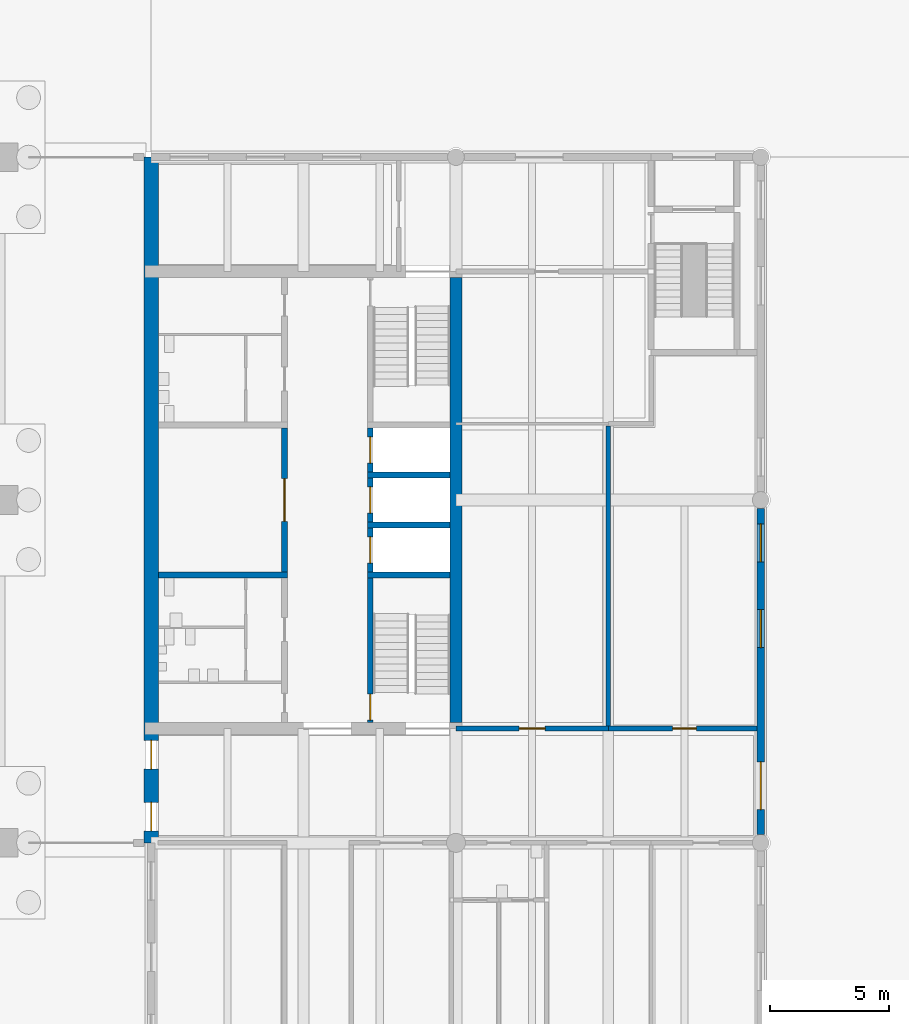
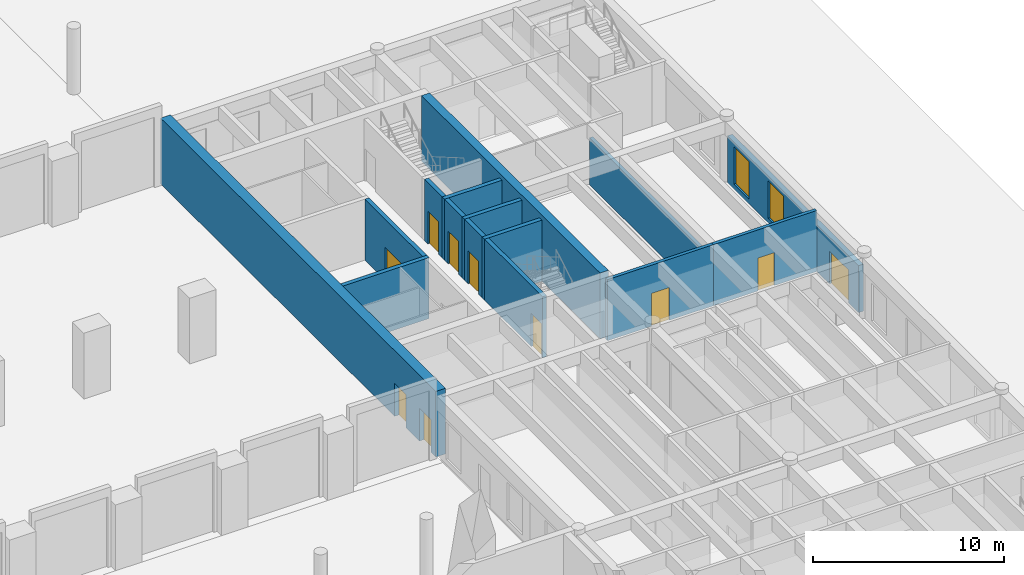
# One storey, part 18 of 28: 15 walls, 10 doors, 2 windows, 12 openings.
"""IFC4 building model written with IfcOpenShell, lengths in metres."""

from ifc_helpers import new_model, si_unit, direction, frame, frame_2d, origin, place, context, subcontext, project, spatial, rectangle, extrude, material, layer, layer_set, type_object, element, fill, save


model = new_model("IFC4")

# Units and contexts
model_context = context("Model", 3, precision=1e-05, world=origin(), true_north=direction((0.0, 1.0)))
body_context = subcontext(model_context, "Body", "Model", "MODEL_VIEW")
ifc_project = project(units=[si_unit("LENGTHUNIT", "METRE"), si_unit("AREAUNIT", "SQUARE_METRE"), si_unit("VOLUMEUNIT", "CUBIC_METRE"), si_unit("PLANEANGLEUNIT", "RADIAN"), si_unit("MASSUNIT", "GRAM", prefix="KILO")], contexts=[model_context])

# Site, building, storey
site_placement = place(None, origin())
site = spatial("IfcSite", under=ifc_project, at=site_placement, CompositionType="ELEMENT")
building_placement = place(site_placement, origin())
building = spatial("IfcBuilding", under=site, at=building_placement, Name="Fogon Plaza Fire Station and Headquarters Tower", CompositionType="ELEMENT")
storey_placement = place(building_placement, origin())
storey = spatial("IfcBuildingStorey", under=building, at=storey_placement, Name="L00", CompositionType="ELEMENT", Elevation=0.0)

# Wall, openings, door, windows
ifc_material_1 = material(Name="Concrete C40", Category="concrete")
ifc_layer_1 = layer(ifc_material_1, 0.300048828125)
ifc_layer_set_1 = layer_set([ifc_layer_1], Name="Concrete C40")
wall_type_1 = type_object("IfcWallType", Name="Board-marked RC Infill Wall 300", PredefinedType="SOLIDWALL", material=ifc_layer_set_1)
wall_1_placement = place(storey_placement, frame((89.60009765625, 29.14990234375, 0.0), z_axis=(0.0, 0.0, 1.0), x_axis=(0.0, 1.0, 0.0)))
wall_1 = element("IfcWall", 1, at=wall_1_placement, inside=storey, type_object=wall_type_1, Name="Exterior wall EE L00", PredefinedType="SOLIDWALL", context=body_context, shape_type="SweptSolid", body=[
    extrude(rectangle(XDim=13.7001953125, YDim=0.300048828125, at=frame_2d((6.85009765625, 0.0))), origin(), (0.0, 0.0, 1.0), 3.0),
])
opening_1_placement = place(wall_1_placement, frame((1.050048828125, 0.0, 0.0)))
opening_1 = element("IfcOpeningElement", 2, at=opening_1_placement, cuts=wall_1, Name="Opening L00-D13", PredefinedType="OPENING", context=body_context, shape_type="SweptSolid", body=[
    extrude(rectangle(XDim=2.0, YDim=2.10009765625, at=frame_2d((1.0, 1.050048828125))), frame((0.0, 0.159912109375, 0.0), z_axis=(0.0, -1.0, 0.0), x_axis=(1.0, 0.0, 0.0)), (0.0, 0.0, 1.0), 0.320068359375),
])
opening_2_placement = place(wall_1_placement, frame((7.85009765625, 0.0, 0.300048828125)))
opening_2 = element("IfcOpeningElement", 3, at=opening_2_placement, cuts=wall_1, Name="Opening W2", PredefinedType="OPENING", context=body_context, shape_type="SweptSolid", body=[
    extrude(rectangle(XDim=1.60009765625, YDim=2.39990234375, at=frame_2d((0.800048828125, 1.199951171875))), frame((0.0, 0.159912109375, 0.0), z_axis=(0.0, -1.0, 0.0), x_axis=(1.0, 0.0, 0.0)), (0.0, 0.0, 1.0), 0.320068359375),
])
opening_3_placement = place(wall_1_placement, frame((11.449951171875, 0.0, 0.300048828125)))
opening_3 = element("IfcOpeningElement", 4, at=opening_3_placement, cuts=wall_1, Name="Opening W2", PredefinedType="OPENING", context=body_context, shape_type="SweptSolid", body=[
    extrude(rectangle(XDim=1.60009765625, YDim=2.39990234375, at=frame_2d((0.800048828125, 1.199951171875))), frame((0.0, 0.159912109375, 0.0), z_axis=(0.0, -1.0, 0.0), x_axis=(1.0, 0.0, 0.0)), (0.0, 0.0, 1.0), 0.320068359375),
])
ifc_material_2 = material(Name="Steel Door Leaf", Category="steel")
door_type_1 = type_object("IfcDoorType", Name="Exit Double 2000x2100", OperationType="SINGLE_SWING_LEFT", PredefinedType="DOOR", material=ifc_material_2)
door_1_placement = place(opening_1_placement, frame((2.0, 0.0, 0.0), z_axis=(0.0, 0.0, 1.0), x_axis=(-1.0, 0.0, 0.0)))
door_1 = element("IfcDoor", 5, at=door_1_placement, inside=storey, type_object=door_type_1, Name="Exterior door L00-D13", OperationType="SINGLE_SWING_RIGHT", OverallHeight=2.10009765625, OverallWidth=2.0, PredefinedType="DOOR", context=body_context, shape_type="SweptSolid", body=[
    extrude(rectangle(XDim=2.0, YDim=2.10009765625, at=frame_2d((1.0, 1.050048828125))), frame((0.0, 0.02490234375, 0.0), z_axis=(0.0, -1.0, 0.0), x_axis=(1.0, 0.0, 0.0)), (0.0, 0.0, 1.0), 0.050048828125),
])
fill(opening_1, door_1)
ifc_material_3 = material(Name="Aluminium framed double glazing", Category="aluminium")
window_type = type_object("IfcWindowType", Name="Window W2 1600x2400", PartitioningType="SINGLE_PANEL", PredefinedType="WINDOW", material=ifc_material_3)
window_1_placement = place(opening_2_placement, origin())
window_1 = element("IfcWindow", 6, at=window_1_placement, inside=storey, type_object=window_type, Name="Window W2 E L00", OverallHeight=2.39990234375, OverallWidth=1.60009765625, PartitioningType="SINGLE_PANEL", PredefinedType="WINDOW", context=body_context, shape_type="SweptSolid", body=[
    extrude(rectangle(XDim=1.60009765625, YDim=2.39990234375, at=frame_2d((0.800048828125, 1.199951171875))), frame((0.0, 0.030029296875, 0.0), z_axis=(0.0, -1.0, 0.0), x_axis=(1.0, 0.0, 0.0)), (0.0, 0.0, 1.0), 0.06005859375),
])
fill(opening_2, window_1)
window_2_placement = place(opening_3_placement, origin())
window_2 = element("IfcWindow", 7, at=window_2_placement, inside=storey, type_object=window_type, Name="Window W2 E L00", OverallHeight=2.39990234375, OverallWidth=1.60009765625, PartitioningType="SINGLE_PANEL", PredefinedType="WINDOW", context=body_context, shape_type="SweptSolid", body=[
    extrude(rectangle(XDim=1.60009765625, YDim=2.39990234375, at=frame_2d((0.800048828125, 1.199951171875))), frame((0.0, 0.030029296875, 0.0), z_axis=(0.0, -1.0, 0.0), x_axis=(1.0, 0.0, 0.0)), (0.0, 0.0, 1.0), 0.06005859375),
])
fill(opening_3, window_2)

# Wall, opening, door
ifc_material_4 = material(Name="Concrete Block Fire Wall", Category="concrete")
ifc_layer_2 = layer(ifc_material_4, 0.199951171875)
ifc_layer_set_2 = layer_set([ifc_layer_2], Name="Concrete Block Fire Wall")
wall_type_2 = type_object("IfcWallType", Name="Compartment Wall EI 120", PredefinedType="PARTITIONING", material=ifc_layer_set_2)
wall_2_placement = place(storey_placement, frame((89.449951171875, 33.60009765625, 0.0), z_axis=(0.0, 0.0, 1.0), x_axis=(-1.0, 0.0, 0.0)))
wall_2 = element("IfcWall", 8, at=wall_2_placement, inside=storey, type_object=wall_type_2, Name="wall-L00-E-022", PredefinedType="PARTITIONING", context=body_context, shape_type="SweptSolid", body=[
    extrude(rectangle(XDim=6.25, YDim=0.199951171875, at=frame_2d((3.125, 0.0))), origin(), (0.0, 0.0, 1.0), 3.89990234375),
])
opening_4_placement = place(wall_2_placement, frame((2.550048828125, 0.0, 0.0)))
opening_4 = element("IfcOpeningElement", 9, at=opening_4_placement, cuts=wall_2, Name="Opening L00-D95", PredefinedType="OPENING", context=body_context, shape_type="SweptSolid", body=[
    extrude(rectangle(XDim=1.0, YDim=2.10009765625, at=frame_2d((0.5, 1.050048828125))), frame((0.0, 0.10986328125, 0.0), z_axis=(0.0, -1.0, 0.0), x_axis=(1.0, 0.0, 0.0)), (0.0, 0.0, 1.0), 0.219970703125),
])
ifc_material_5 = material(Name="Steel Fire Door Leaf", Category="steel")
door_type_2 = type_object("IfcDoorType", Name="Fire Door EI 90 1000x2100", OperationType="SINGLE_SWING_LEFT", PredefinedType="DOOR", material=ifc_material_5)
door_2_placement = place(opening_4_placement, frame((1.0, 0.0, 0.0), z_axis=(0.0, 0.0, 1.0), x_axis=(-1.0, 0.0, 0.0)))
door_2 = element("IfcDoor", 10, at=door_2_placement, inside=storey, type_object=door_type_2, Name="door-L00-E-16", OperationType="SINGLE_SWING_RIGHT", OverallHeight=2.10009765625, OverallWidth=1.0, PredefinedType="DOOR", context=body_context, shape_type="SweptSolid", body=[
    extrude(rectangle(XDim=1.0, YDim=2.10009765625, at=frame_2d((0.5, 1.050048828125))), frame((0.0, 0.02490234375, 0.0), z_axis=(0.0, -1.0, 0.0), x_axis=(1.0, 0.0, 0.0)), (0.0, 0.0, 1.0), 0.050048828125),
])
fill(opening_4, door_2)

# Walls
ifc_material_6 = material(Name="Concrete Block Fire Wall", Category="concrete")
ifc_layer_3 = layer(ifc_material_6, 0.199951171875)
ifc_layer_set_3 = layer_set([ifc_layer_3], Name="Concrete Block Fire Wall")
wall_type_3 = type_object("IfcWallType", Name="Compartment Wall EI 120 Beam Head 900", PredefinedType="PARTITIONING", material=ifc_layer_set_3)
wall_3_placement = place(storey_placement, frame((83.199951171875, 33.699951171875, 0.0), z_axis=(0.0, 0.0, 1.0), x_axis=(0.0, 1.0, 0.0)))
element("IfcWall", 11, at=wall_3_placement, inside=storey, type_object=wall_type_3, Name="wall-L00-E-041", PredefinedType="PARTITIONING", context=body_context, shape_type="SweptSolid", body=[
    extrude(rectangle(XDim=12.60009765625, YDim=0.199951171875, at=frame_2d((6.300048828125, 0.0))), origin(), (0.0, 0.0, 1.0), 3.0),
])
ifc_material_7 = material(Name="Concrete C40", Category="concrete")
ifc_layer_4 = layer(ifc_material_7, 0.25)
ifc_layer_set_4 = layer_set([ifc_layer_4], Name="Concrete C40")
wall_type_4 = type_object("IfcWallType", Name="Core Wall RC 250", PredefinedType="SOLIDWALL", material=ifc_layer_set_4)
for number, where, z_axis, x_axis, name in (
    (12, (76.550048828125, 40.050048828125, 0.0), (0.0, 0.0, 1.0), (-1.0, 0.0, 0.0), "Core B shaft wall"),
    (13, (76.550048828125, 42.14990234375, 0.0), (0.0, 0.0, 1.0), (-1.0, 0.0, 0.0), "Core B shaft wall"),
    (14, (76.550048828125, 44.25, 0.0), (0.0, 0.0, 1.0), (-1.0, 0.0, 0.0), "Core B shaft wall"),
):
    element("IfcWall", number, at=place(storey_placement, frame(where, z_axis=z_axis, x_axis=x_axis)), inside=storey, type_object=wall_type_4, Name=name, PredefinedType="SOLIDWALL", context=body_context, shape_type="SweptSolid", body=[
        extrude(rectangle(XDim=3.47509765625, YDim=0.25, at=frame_2d((1.737548828125, 0.0))), origin(), (0.0, 0.0, 1.0), 3.89990234375),
    ])

# Wall, opening, door
wall_4_placement = place(storey_placement, frame((73.199951171875, 33.85009765625, 0.0), z_axis=(0.0, 0.0, 1.0), x_axis=(0.0, 1.0, 0.0)))
wall_4 = element("IfcWall", 15, at=wall_4_placement, inside=storey, type_object=wall_type_4, Name="Core B shaft wall", PredefinedType="SOLIDWALL", context=body_context, shape_type="SweptSolid", body=[
    extrude(rectangle(XDim=6.074951171875, YDim=0.25, at=frame_2d((3.03759765625, 0.0))), origin(), (0.0, 0.0, 1.0), 3.89990234375),
])
opening_5_placement = place(wall_4_placement, frame((0.10009765625, 0.0, 0.0)))
opening_5 = element("IfcOpeningElement", 16, at=opening_5_placement, cuts=wall_4, Name="Opening L00-D45", PredefinedType="OPENING", context=body_context, shape_type="SweptSolid", body=[
    extrude(rectangle(XDim=1.10009765625, YDim=2.10009765625, at=frame_2d((0.550048828125, 1.050048828125))), frame((0.0, 0.135009765625, 0.0), z_axis=(0.0, -1.0, 0.0), x_axis=(1.0, 0.0, 0.0)), (0.0, 0.0, 1.0), 0.27001953125),
])
ifc_material_8 = material(Name="Steel Fire Door Leaf", Category="steel")
door_type_3 = type_object("IfcDoorType", Name="Stair Door Single 1100x2100", OperationType="SINGLE_SWING_LEFT", PredefinedType="DOOR", material=ifc_material_8)
door_3_placement = place(opening_5_placement, origin())
door_3 = element("IfcDoor", 17, at=door_3_placement, inside=storey, type_object=door_type_3, Name="Stair door ST3", OperationType="SINGLE_SWING_LEFT", OverallHeight=2.10009765625, OverallWidth=1.10009765625, PredefinedType="DOOR", context=body_context, shape_type="SweptSolid", body=[
    extrude(rectangle(XDim=1.10009765625, YDim=2.10009765625, at=frame_2d((0.550048828125, 1.050048828125))), frame((0.0, 0.02490234375, 0.0), z_axis=(0.0, -1.0, 0.0), x_axis=(1.0, 0.0, 0.0)), (0.0, 0.0, 1.0), 0.050048828125),
])
fill(opening_5, door_3)

wall_5_placement = place(storey_placement, frame((73.199951171875, 40.175048828125, 0.0), z_axis=(0.0, 0.0, 1.0), x_axis=(0.0, 1.0, 0.0)))
wall_5 = element("IfcWall", 18, at=wall_5_placement, inside=storey, type_object=wall_type_4, Name="Core B shaft wall", PredefinedType="SOLIDWALL", context=body_context, shape_type="SweptSolid", body=[
    extrude(rectangle(XDim=1.849853515625, YDim=0.25, at=frame_2d((0.9248046875, 0.0))), origin(), (0.0, 0.0, 1.0), 3.89990234375),
])
opening_6_placement = place(wall_5_placement, frame((0.375, 0.0, 0.0)))
opening_6 = element("IfcOpeningElement", 19, at=opening_6_placement, cuts=wall_5, Name="Opening L00-D47", PredefinedType="OPENING", context=body_context, shape_type="SweptSolid", body=[
    extrude(rectangle(XDim=1.10009765625, YDim=2.10009765625, at=frame_2d((0.550048828125, 1.050048828125))), frame((0.0, 0.135009765625, 0.0), z_axis=(0.0, -1.0, 0.0), x_axis=(1.0, 0.0, 0.0)), (0.0, 0.0, 1.0), 0.27001953125),
])
ifc_material_9 = material(Name="Stainless Steel", Category="steel")
door_type_4 = type_object("IfcDoorType", Name="Lift Landing Door 1100x2100", OperationType="SLIDING_TO_LEFT", PredefinedType="DOOR", material=ifc_material_9)
door_4_placement = place(opening_6_placement, origin())
door_4 = element("IfcDoor", 20, at=door_4_placement, inside=storey, type_object=door_type_4, Name="Lift LP3 landing door", OperationType="SLIDING_TO_LEFT", OverallHeight=2.10009765625, OverallWidth=1.10009765625, PredefinedType="DOOR", context=body_context, shape_type="SweptSolid", body=[
    extrude(rectangle(XDim=1.10009765625, YDim=2.10009765625, at=frame_2d((0.550048828125, 1.050048828125))), frame((0.0, 0.02490234375, 0.0), z_axis=(0.0, -1.0, 0.0), x_axis=(1.0, 0.0, 0.0)), (0.0, 0.0, 1.0), 0.050048828125),
])
fill(opening_6, door_4)

wall_6_placement = place(storey_placement, frame((73.199951171875, 42.27490234375, 0.0), z_axis=(0.0, 0.0, 1.0), x_axis=(0.0, 1.0, 0.0)))
wall_6 = element("IfcWall", 21, at=wall_6_placement, inside=storey, type_object=wall_type_4, Name="Core B shaft wall", PredefinedType="SOLIDWALL", context=body_context, shape_type="SweptSolid", body=[
    extrude(rectangle(XDim=1.85009765625, YDim=0.25, at=frame_2d((0.925048828125, 0.0))), origin(), (0.0, 0.0, 1.0), 3.89990234375),
])
opening_7_placement = place(wall_6_placement, frame((0.375, 0.0, 0.0)))
opening_7 = element("IfcOpeningElement", 22, at=opening_7_placement, cuts=wall_6, Name="Opening L00-D48", PredefinedType="OPENING", context=body_context, shape_type="SweptSolid", body=[
    extrude(rectangle(XDim=1.10009765625, YDim=2.10009765625, at=frame_2d((0.550048828125, 1.050048828125))), frame((0.0, 0.135009765625, 0.0), z_axis=(0.0, -1.0, 0.0), x_axis=(1.0, 0.0, 0.0)), (0.0, 0.0, 1.0), 0.27001953125),
])
door_5_placement = place(opening_7_placement, origin())
door_5 = element("IfcDoor", 23, at=door_5_placement, inside=storey, type_object=door_type_4, Name="Lift LP4 landing door", OperationType="SLIDING_TO_LEFT", OverallHeight=2.10009765625, OverallWidth=1.10009765625, PredefinedType="DOOR", context=body_context, shape_type="SweptSolid", body=[
    extrude(rectangle(XDim=1.10009765625, YDim=2.10009765625, at=frame_2d((0.550048828125, 1.050048828125))), frame((0.0, 0.02490234375, 0.0), z_axis=(0.0, -1.0, 0.0), x_axis=(1.0, 0.0, 0.0)), (0.0, 0.0, 1.0), 0.050048828125),
])
fill(opening_7, door_5)

wall_7_placement = place(storey_placement, frame((73.199951171875, 44.375, 0.0), z_axis=(0.0, 0.0, 1.0), x_axis=(0.0, 1.0, 0.0)))
wall_7 = element("IfcWall", 24, at=wall_7_placement, inside=storey, type_object=wall_type_4, Name="Core B shaft wall", PredefinedType="SOLIDWALL", context=body_context, shape_type="SweptSolid", body=[
    extrude(rectangle(XDim=1.85009765625, YDim=0.25, at=frame_2d((0.925048828125, 0.0))), origin(), (0.0, 0.0, 1.0), 3.89990234375),
])
opening_8_placement = place(wall_7_placement, frame((0.375, 0.0, 0.0)))
opening_8 = element("IfcOpeningElement", 25, at=opening_8_placement, cuts=wall_7, Name="Opening L00-D49", PredefinedType="OPENING", context=body_context, shape_type="SweptSolid", body=[
    extrude(rectangle(XDim=1.10009765625, YDim=2.10009765625, at=frame_2d((0.550048828125, 1.050048828125))), frame((0.0, 0.135009765625, 0.0), z_axis=(0.0, -1.0, 0.0), x_axis=(1.0, 0.0, 0.0)), (0.0, 0.0, 1.0), 0.27001953125),
])
door_6_placement = place(opening_8_placement, origin())
door_6 = element("IfcDoor", 26, at=door_6_placement, inside=storey, type_object=door_type_4, Name="Lift FL2 landing door", OperationType="SLIDING_TO_LEFT", OverallHeight=2.10009765625, OverallWidth=1.10009765625, PredefinedType="DOOR", context=body_context, shape_type="SweptSolid", body=[
    extrude(rectangle(XDim=1.10009765625, YDim=2.10009765625, at=frame_2d((0.550048828125, 1.050048828125))), frame((0.0, 0.02490234375, 0.0), z_axis=(0.0, -1.0, 0.0), x_axis=(1.0, 0.0, 0.0)), (0.0, 0.0, 1.0), 0.050048828125),
])
fill(opening_8, door_6)

wall_8_placement = place(storey_placement, frame((69.60009765625, 40.175048828125, 0.0), z_axis=(0.0, 0.0, 1.0), x_axis=(0.0, 1.0, 0.0)))
wall_8 = element("IfcWall", 27, at=wall_8_placement, inside=storey, type_object=wall_type_4, Name="Core B shaft wall", PredefinedType="SOLIDWALL", context=body_context, shape_type="SweptSolid", body=[
    extrude(rectangle(XDim=6.050048828125, YDim=0.25, at=frame_2d((3.02490234375, 0.0))), origin(), (0.0, 0.0, 1.0), 3.89990234375),
])
opening_9_placement = place(wall_8_placement, frame((2.125, 0.0, 0.0)))
opening_9 = element("IfcOpeningElement", 28, at=opening_9_placement, cuts=wall_8, Name="Opening L00-D50", PredefinedType="OPENING", context=body_context, shape_type="SweptSolid", body=[
    extrude(rectangle(XDim=1.800048828125, YDim=2.10009765625, at=frame_2d((0.89990234375, 1.050048828125))), frame((0.0, 0.135009765625, 0.0), z_axis=(0.0, -1.0, 0.0), x_axis=(1.0, 0.0, 0.0)), (0.0, 0.0, 1.0), 0.27001953125),
])
ifc_material_10 = material(Name="Steel Fire Door Leaf", Category="steel")
door_type_5 = type_object("IfcDoorType", Name="Store Double 1800x2100", OperationType="DOUBLE_DOOR_SINGLE_SWING", PredefinedType="DOOR", material=ifc_material_10)
door_7_placement = place(opening_9_placement, origin())
door_7 = element("IfcDoor", 29, at=door_7_placement, inside=storey, type_object=door_type_5, Name="Service store B door", OperationType="DOUBLE_DOOR_SINGLE_SWING", OverallHeight=2.10009765625, OverallWidth=1.800048828125, PredefinedType="DOOR", context=body_context, shape_type="SweptSolid", body=[
    extrude(rectangle(XDim=1.800048828125, YDim=2.10009765625, at=frame_2d((0.89990234375, 1.050048828125))), frame((0.0, 0.02490234375, 0.0), z_axis=(0.0, -1.0, 0.0), x_axis=(1.0, 0.0, 0.0)), (0.0, 0.0, 1.0), 0.050048828125),
])
fill(opening_9, door_7)

# Wall
wall_9_placement = place(storey_placement, frame((69.72509765625, 40.050048828125, 0.0), z_axis=(0.0, 0.0, 1.0), x_axis=(-1.0, 0.0, 0.0)))
element("IfcWall", 30, at=wall_9_placement, inside=storey, type_object=wall_type_4, Name="Core B shaft wall", PredefinedType="SOLIDWALL", context=body_context, shape_type="SweptSolid", body=[
    extrude(rectangle(XDim=5.425048828125, YDim=0.25, at=frame_2d((2.71240234375, 0.0))), origin(), (0.0, 0.0, 1.0), 3.89990234375),
])

# Wall, opening, door
ifc_material_11 = material(Name="Gypsum Board Fire Partition")
ifc_layer_5 = layer(ifc_material_11, 0.199951171875)
ifc_layer_set_5 = layer_set([ifc_layer_5], Name="Gypsum Board Fire Partition")
wall_type_5 = type_object("IfcWallType", Name="Corridor Wall EI 60", PredefinedType="PARTITIONING", material=ifc_layer_set_5)
wall_10_placement = place(storey_placement, frame((83.199951171875, 33.60009765625, 0.0), z_axis=(0.0, 0.0, 1.0), x_axis=(-1.0, 0.0, 0.0)))
wall_10 = element("IfcWall", 31, at=wall_10_placement, inside=storey, type_object=wall_type_5, Name="wall-L00-E-023", PredefinedType="PARTITIONING", context=body_context, shape_type="SweptSolid", body=[
    extrude(rectangle(XDim=6.39990234375, YDim=0.199951171875, at=frame_2d((3.199951171875, 0.0))), origin(), (0.0, 0.0, 1.0), 3.89990234375),
])
opening_10_placement = place(wall_10_placement, frame((2.64990234375, 0.0, 0.0)))
opening_10 = element("IfcOpeningElement", 32, at=opening_10_placement, cuts=wall_10, Name="Opening L00-D96", PredefinedType="OPENING", context=body_context, shape_type="SweptSolid", body=[
    extrude(rectangle(XDim=1.10009765625, YDim=2.10009765625, at=frame_2d((0.550048828125, 1.050048828125))), frame((0.0, 0.10986328125, 0.0), z_axis=(0.0, -1.0, 0.0), x_axis=(1.0, 0.0, 0.0)), (0.0, 0.0, 1.0), 0.219970703125),
])
ifc_material_12 = material(Name="Steel Fire Door Leaf", Category="steel")
door_type_6 = type_object("IfcDoorType", Name="Corridor Door EI 20 1100x2100", OperationType="SINGLE_SWING_LEFT", PredefinedType="DOOR", material=ifc_material_12)
door_8_placement = place(opening_10_placement, frame((1.10009765625, 0.0, 0.0), z_axis=(0.0, 0.0, 1.0), x_axis=(-1.0, 0.0, 0.0)))
door_8 = element("IfcDoor", 33, at=door_8_placement, inside=storey, type_object=door_type_6, Name="door-L00-E-17", OperationType="SINGLE_SWING_LEFT", OverallHeight=2.10009765625, OverallWidth=1.10009765625, PredefinedType="DOOR", context=body_context, shape_type="SweptSolid", body=[
    extrude(rectangle(XDim=1.10009765625, YDim=2.10009765625, at=frame_2d((0.550048828125, 1.050048828125))), frame((0.0, 0.02490234375, 0.0), z_axis=(0.0, -1.0, 0.0), x_axis=(1.0, 0.0, 0.0)), (0.0, 0.0, 1.0), 0.050048828125),
])
fill(opening_10, door_8)

# Wall
ifc_material_13 = material(Name="Concrete C40", Category="concrete")
ifc_layer_6 = layer(ifc_material_13, 0.5)
ifc_layer_set_6 = layer_set([ifc_layer_6], Name="Concrete C40")
wall_type_6 = type_object("IfcWallType", Name="Shear wall 500 SW50", PredefinedType="SHEAR", material=ifc_layer_set_6)
wall_11_placement = place(storey_placement, frame((76.800048828125, 33.85009765625, 0.0), z_axis=(0.0, 0.0, 1.0), x_axis=(0.0, 1.0, 0.0)))
element("IfcWall", 34, at=wall_11_placement, inside=storey, type_object=wall_type_6, Name="wall-coreB-E-L00", PredefinedType="SHEAR", context=body_context, shape_type="SweptSolid", body=[
    extrude(rectangle(XDim=18.699951171875, YDim=0.5, at=frame_2d((9.35009765625, 0.0))), origin(), (0.0, 0.0, 1.0), 4.199951171875),
])

# Wall, openings, doors
ifc_material_14 = material(Name="Concrete C40", Category="concrete")
ifc_layer_7 = layer(ifc_material_14, 0.60009765625)
ifc_layer_set_7 = layer_set([ifc_layer_7], Name="Concrete C40")
wall_type_7 = type_object("IfcWallType", Name="Shear wall 600 BW60", PredefinedType="SHEAR", material=ifc_layer_set_7)
wall_12_placement = place(storey_placement, frame((64.0, 28.800048828125, 0.0), z_axis=(0.0, 0.0, 1.0), x_axis=(0.0, 1.0, 0.0)))
wall_12 = element("IfcWall", 35, at=wall_12_placement, inside=storey, type_object=wall_type_7, Name="wall-bay-E-L00", PredefinedType="SHEAR", context=body_context, shape_type="SweptSolid", body=[
    extrude(rectangle(XDim=28.800048828125, YDim=0.60009765625, at=frame_2d((14.39990234375, 0.0))), origin(), (0.0, 0.0, 1.0), 4.199951171875),
])
opening_11_placement = place(wall_12_placement, frame((0.5, 0.0, 0.0)))
opening_11 = element("IfcOpeningElement", 36, at=opening_11_placement, cuts=wall_12, Name="Opening L00-D103", PredefinedType="OPENING", context=body_context, shape_type="SweptSolid", body=[
    extrude(rectangle(XDim=1.199951171875, YDim=2.10009765625, at=frame_2d((0.60009765625, 1.050048828125))), frame((0.0, 0.31005859375, 0.0), z_axis=(0.0, -1.0, 0.0), x_axis=(1.0, 0.0, 0.0)), (0.0, 0.0, 1.0), 0.6201171875),
])
opening_12_placement = place(wall_12_placement, frame((3.10009765625, 0.0, 0.0)))
opening_12 = element("IfcOpeningElement", 37, at=opening_12_placement, cuts=wall_12, Name="Opening L00-D104", PredefinedType="OPENING", context=body_context, shape_type="SweptSolid", body=[
    extrude(rectangle(XDim=1.199951171875, YDim=2.10009765625, at=frame_2d((0.60009765625, 1.050048828125))), frame((0.0, 0.31005859375, 0.0), z_axis=(0.0, -1.0, 0.0), x_axis=(1.0, 0.0, 0.0)), (0.0, 0.0, 1.0), 0.6201171875),
])
ifc_material_15 = material(Name="Steel Fire Door Leaf", Category="steel")
door_type_7 = type_object("IfcDoorType", Name="Bay Personnel 1200x2100", OperationType="SINGLE_SWING_LEFT", PredefinedType="DOOR", material=ifc_material_15)
door_9_placement = place(opening_11_placement, frame((1.199951171875, 0.0, 0.0), z_axis=(0.0, 0.0, 1.0), x_axis=(-1.0, 0.0, 0.0)))
door_9 = element("IfcDoor", 38, at=door_9_placement, inside=storey, type_object=door_type_7, Name="door-L00-bay-E1", OperationType="SINGLE_SWING_RIGHT", OverallHeight=2.10009765625, OverallWidth=1.199951171875, PredefinedType="DOOR", context=body_context, shape_type="SweptSolid", body=[
    extrude(rectangle(XDim=1.199951171875, YDim=2.10009765625, at=frame_2d((0.60009765625, 1.050048828125))), frame((0.0, 0.02490234375, 0.0), z_axis=(0.0, -1.0, 0.0), x_axis=(1.0, 0.0, 0.0)), (0.0, 0.0, 1.0), 0.050048828125),
])
fill(opening_11, door_9)
door_10_placement = place(opening_12_placement, frame((1.199951171875, 0.0, 0.0), z_axis=(0.0, 0.0, 1.0), x_axis=(-1.0, 0.0, 0.0)))
door_10 = element("IfcDoor", 39, at=door_10_placement, inside=storey, type_object=door_type_7, Name="door-L00-bay-E2", OperationType="SINGLE_SWING_LEFT", OverallHeight=2.10009765625, OverallWidth=1.199951171875, PredefinedType="DOOR", context=body_context, shape_type="SweptSolid", body=[
    extrude(rectangle(XDim=1.199951171875, YDim=2.10009765625, at=frame_2d((0.60009765625, 1.050048828125))), frame((0.0, 0.02490234375, 0.0), z_axis=(0.0, -1.0, 0.0), x_axis=(1.0, 0.0, 0.0)), (0.0, 0.0, 1.0), 0.050048828125),
])
fill(opening_12, door_10)

save(model, "model.ifc")
